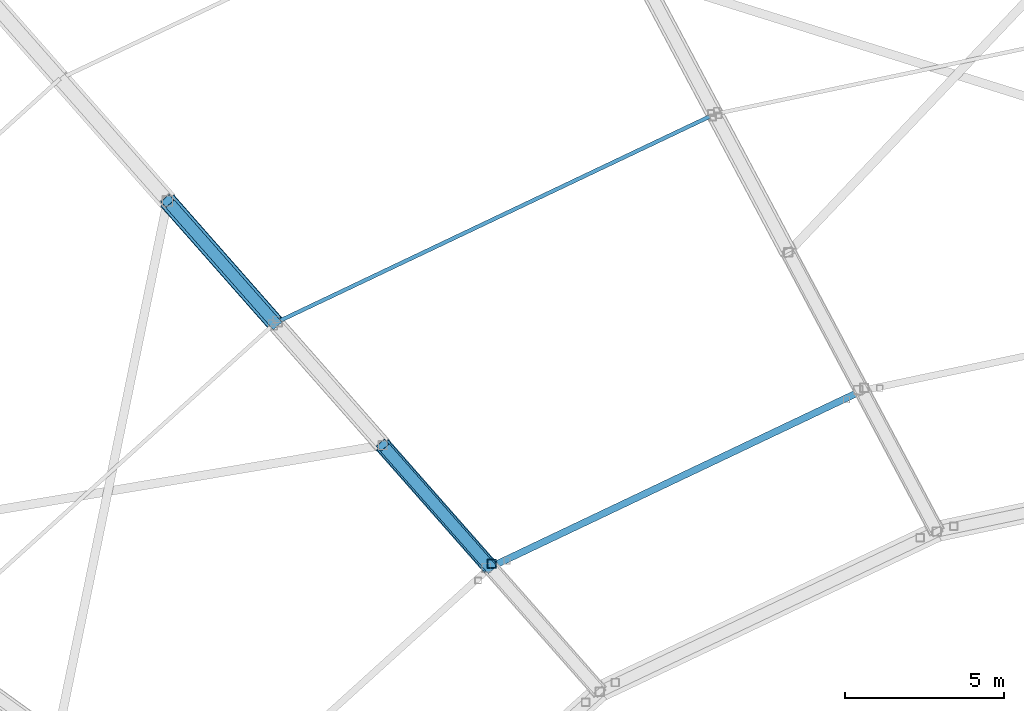
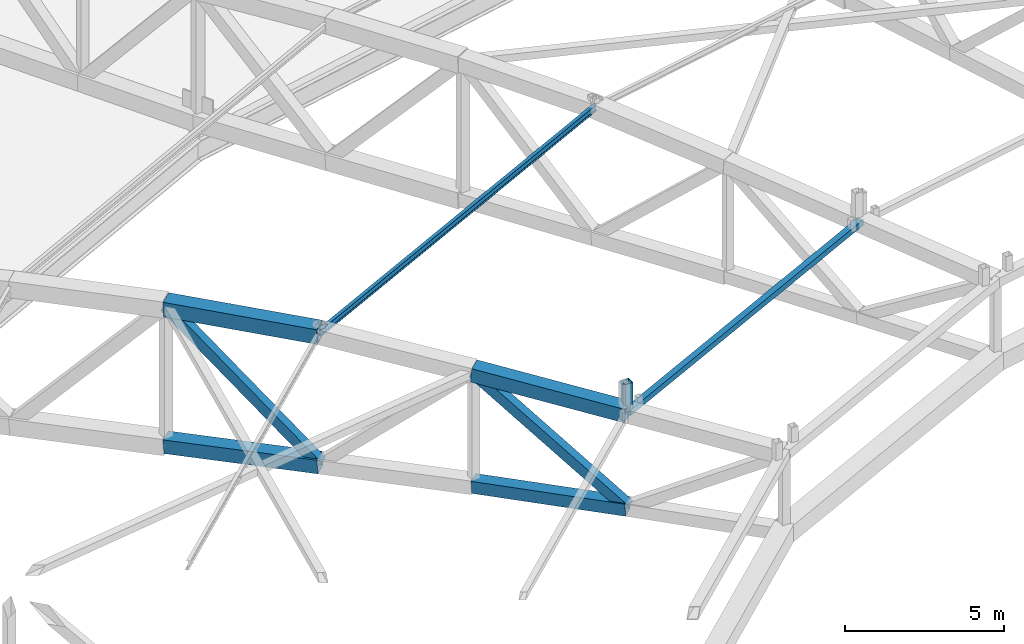
# One storey, part 69 of 162: 9 members.
"""IFC4 building model written with IfcOpenShell, lengths in metres."""

from ifc_helpers import new_model, si_unit, direction, frame, origin, origin_2d, place, context, subcontext, project, spatial, hollow_rectangle, i_section, extrude, material, material_profile, profile_set, type_object, element, save


model = new_model("IFC4")

# Units and contexts
model_context = context("Model", 3, precision=1e-05, world=origin(), true_north=direction((0.0, 1.0)))
body_context = subcontext(model_context, "Body", "Model", "MODEL_VIEW")
ifc_project = project(units=[si_unit("LENGTHUNIT", "METRE"), si_unit("AREAUNIT", "SQUARE_METRE"), si_unit("VOLUMEUNIT", "CUBIC_METRE"), si_unit("PLANEANGLEUNIT", "RADIAN"), si_unit("MASSUNIT", "GRAM", prefix="KILO")], contexts=[model_context])

# Site, building, storey
site_placement = place(None, origin())
site = spatial("IfcSite", under=ifc_project, at=site_placement, CompositionType="ELEMENT")
building_placement = place(site_placement, origin())
building = spatial("IfcBuilding", under=site, at=building_placement, Name="Kazemori Nagisa Stadium", CompositionType="ELEMENT")
storey_placement = place(building_placement, frame((0.0, 0.0, 36.719970703125)))
storey = spatial("IfcBuildingStorey", under=building, at=storey_placement, Name="RF", CompositionType="ELEMENT", Elevation=36.719970703125)

# Members
ifc_material_1 = material(Name="Steel STKR490", Category="steel")
ifc_material_profile_1 = material_profile(ifc_material_1, hollow_rectangle(XDim=0.280029296875, YDim=0.280029296875, WallThickness=0.010009765625, at=origin_2d()), Name="SHS-280x280x10")
ifc_profile_set_1 = profile_set([ifc_material_profile_1], Name="Steel STKR490")
member_type_1 = type_object("IfcMemberType", Name="Member_ST-SHS280", PredefinedType="STUD", material=ifc_profile_set_1)
member_1_placement = place(storey_placement, frame((86.115234375, 144.034912109375, 5.784912109375), z_axis=(0.0, 0.0, 1.0), x_axis=(1.0, 0.0, 0.0)))
element("IfcMember", 1, at=member_1_placement, inside=storey, type_object=member_type_1, Name="Canopy bearing stool B10-inner-3", PredefinedType="STUD", context=body_context, shape_type="SweptSolid", body=[
    extrude(hollow_rectangle(XDim=0.280029296875, YDim=0.280029296875, WallThickness=0.010009765625, at=origin_2d()), origin(), (0.0, 0.0, 1.0), 1.087158203125),
])
ifc_material_profile_2 = material_profile(ifc_material_1, hollow_rectangle(XDim=0.360107421875, YDim=0.360107421875, WallThickness=0.013916015625, at=origin_2d()), Name="SHS-360x360x14")
ifc_profile_set_2 = profile_set([ifc_material_profile_2], Name="Steel STKR490")
member_type_2 = type_object("IfcMemberType", Name="Member_TB-SHS360", PredefinedType="BRACE", material=ifc_profile_set_2)
member_2_placement = place(storey_placement, frame((75.92626953125, 155.436279296875, 6.47314453125), z_axis=(0.47607829973, -0.540410417222, -0.693762231233), x_axis=(0.750357303375, 0.661032463099, 0.0)))
element("IfcMember", 2, at=member_2_placement, inside=storey, type_object=member_type_2, Name="Roof space truss diagonal RT-11-6", PredefinedType="BRACE", context=body_context, shape_type="SweptSolid", body=[
    extrude(hollow_rectangle(XDim=0.360107421875, YDim=0.360107421875, WallThickness=0.013916015625, at=origin_2d()), origin(), (0.0, 0.0, 1.0), 7.100341796875),
])
member_3_placement = place(storey_placement, frame((82.68701171875, 147.761962890625, 6.216064453125), z_axis=(0.517437015412, -0.587400330172, -0.622269866855), x_axis=(0.750380984059, 0.661005581491, 0.0)))
element("IfcMember", 3, at=member_3_placement, inside=storey, type_object=member_type_2, Name="Roof space truss diagonal RT-11-8", PredefinedType="BRACE", context=body_context, shape_type="SweptSolid", body=[
    extrude(hollow_rectangle(XDim=0.360107421875, YDim=0.360107421875, WallThickness=0.013916015625, at=origin_2d()), origin(), (0.0, 0.0, 1.0), 6.532470703125),
])
ifc_material_profile_3 = material_profile(ifc_material_1, hollow_rectangle(XDim=0.4599609375, YDim=0.4599609375, WallThickness=0.01611328125, at=origin_2d()), Name="SHS-460x460x16")
ifc_profile_set_3 = profile_set([ifc_material_profile_3], Name="Steel STKR490")
member_type_3 = type_object("IfcMemberType", Name="Member_TC-SHS460", PredefinedType="CHORD", material=ifc_profile_set_3)
member_4_placement = place(storey_placement, frame((82.68701171875, 147.761962890625, 1.888916015625), z_axis=(0.660138314827, -0.749396453169, 0.051208996036), x_axis=(0.750380984059, 0.661005581491, 0.0)))
element("IfcMember", 4, at=member_4_placement, inside=storey, type_object=member_type_3, Name="Roof space truss bottom chord RT-11-8", PredefinedType="CHORD", context=body_context, shape_type="SweptSolid", body=[
    extrude(hollow_rectangle(XDim=0.4599609375, YDim=0.4599609375, WallThickness=0.01611328125, at=origin_2d()), origin(), (0.0, 0.0, 1.0), 5.120361328125),
])
ifc_material_profile_4 = material_profile(ifc_material_1, hollow_rectangle(XDim=0.52001953125, YDim=0.52001953125, WallThickness=0.01904296875, at=origin_2d()), Name="SHS-520x520x19")
ifc_profile_set_4 = profile_set([ifc_material_profile_4], Name="Steel STKR490")
member_type_4 = type_object("IfcMemberType", Name="Member_TC-SHS520", PredefinedType="CHORD", material=ifc_profile_set_4)
member_5_placement = place(storey_placement, frame((75.92626953125, 155.436279296875, 1.18505859375), z_axis=(0.659381858746, -0.748483654045, 0.070624245018), x_axis=(0.750357303375, 0.661032463099, 0.0)))
element("IfcMember", 5, at=member_5_placement, inside=storey, type_object=member_type_4, Name="Roof space truss bottom chord RT-11-6", PredefinedType="CHORD", context=body_context, shape_type="SweptSolid", body=[
    extrude(hollow_rectangle(XDim=0.52001953125, YDim=0.52001953125, WallThickness=0.01904296875, at=origin_2d()), origin(), (0.0, 0.0, 1.0), 5.12646484375),
])
member_6_placement = place(storey_placement, frame((82.68701171875, 147.761962890625, 6.216064453125), z_axis=(0.658668505475, -0.747727909032, -0.08401650998), x_axis=(0.750380984059, 0.661005581491, 0.0)))
element("IfcMember", 6, at=member_6_placement, inside=storey, type_object=member_type_4, Name="Roof space truss top chord RT-11-8", PredefinedType="CHORD", context=body_context, shape_type="SweptSolid", body=[
    extrude(hollow_rectangle(XDim=0.52001953125, YDim=0.52001953125, WallThickness=0.01904296875, at=origin_2d()), origin(), (0.0, 0.0, 1.0), 5.1318359375),
])
ifc_material_profile_5 = material_profile(ifc_material_1, hollow_rectangle(XDim=0.56005859375, YDim=0.56005859375, WallThickness=0.02001953125, at=origin_2d()), Name="SHS-560x560x20")
ifc_profile_set_5 = profile_set([ifc_material_profile_5], Name="Steel STKR490")
member_type_5 = type_object("IfcMemberType", Name="Member_TC-SHS560", PredefinedType="CHORD", material=ifc_profile_set_5)
member_7_placement = place(storey_placement, frame((75.92626953125, 155.436279296875, 6.47314453125), z_axis=(0.660943334156, -0.750256130502, 0.016420952401), x_axis=(0.750357303375, 0.661032463099, 0.0)))
element("IfcMember", 7, at=member_7_placement, inside=storey, type_object=member_type_5, Name="Roof space truss top chord RT-11-6", PredefinedType="CHORD", context=body_context, shape_type="SweptSolid", body=[
    extrude(hollow_rectangle(XDim=0.56005859375, YDim=0.56005859375, WallThickness=0.02001953125, at=origin_2d()), origin(), (0.0, 0.0, 1.0), 5.114501953125),
])
ifc_material_2 = material(Name="Steel SN490B", Category="steel")
ifc_material_profile_6 = material_profile(ifc_material_2, i_section(OverallWidth=0.125, OverallDepth=0.25, WebThickness=0.006103515625, FlangeThickness=0.009033203125, FilletRadius=0.008056640625, at=origin_2d()), Name="H-250x125x6x9")
ifc_profile_set_6 = profile_set([ifc_material_profile_6], Name="Steel SN490B")
member_type_6 = type_object("IfcMemberType", Name="Member_TP-H250", PredefinedType="PURLIN", material=ifc_profile_set_6)
member_8_placement = place(storey_placement, frame((93.122314453125, 158.1640625, 6.419921875), z_axis=(-0.903177909934, -0.429172701375, 0.008969693498), x_axis=(0.429189967048, -0.903214244897, 0.0)))
element("IfcMember", 8, at=member_8_placement, inside=storey, type_object=member_type_6, Name="Roof purlin TP-H250 B10-P6", PredefinedType="PURLIN", context=body_context, shape_type="SweptSolid", body=[
    extrude(i_section(OverallWidth=0.125, OverallDepth=0.25, WebThickness=0.006103515625, FlangeThickness=0.009033203125, FilletRadius=0.008056640625, at=origin_2d()), origin(), (0.0, 0.0, 1.0), 15.296630859375),
])
ifc_material_profile_7 = material_profile(ifc_material_1, hollow_rectangle(XDim=0.219970703125, YDim=0.219970703125, WallThickness=0.009033203125, at=origin_2d()), Name="SHS-220x220x9")
ifc_profile_set_7 = profile_set([ifc_material_profile_7], Name="Steel STKR490")
member_type_7 = type_object("IfcMemberType", Name="Member_TP-SHS220", PredefinedType="PURLIN", material=ifc_profile_set_7)
member_9_placement = place(storey_placement, frame((97.7451171875, 149.473876953125, 5.662109375), z_axis=(-0.903175834044, -0.429165712625, 0.009497573736), x_axis=(0.429185070146, -0.903216571794, 0.0)))
element("IfcMember", 9, at=member_9_placement, inside=storey, type_object=member_type_7, Name="Roof purlin TP-SHS220 B10-P8", PredefinedType="PURLIN", context=body_context, shape_type="SweptSolid", body=[
    extrude(hollow_rectangle(XDim=0.219970703125, YDim=0.219970703125, WallThickness=0.009033203125, at=origin_2d()), origin(), (0.0, 0.0, 1.0), 12.929931640625),
])

save(model, "model.ifc")
